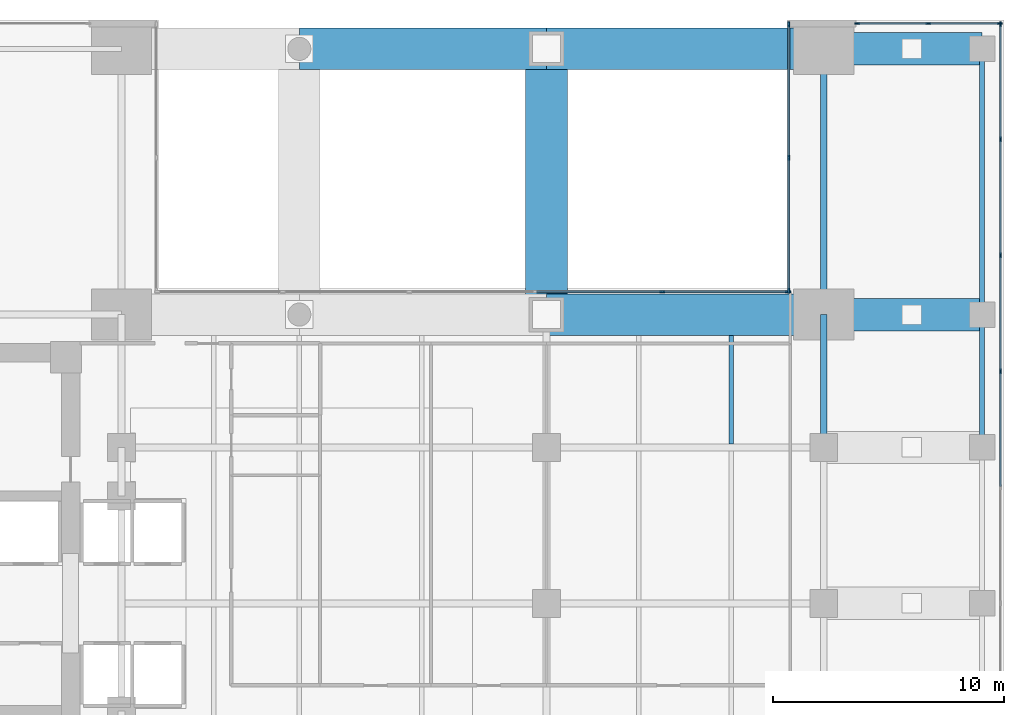
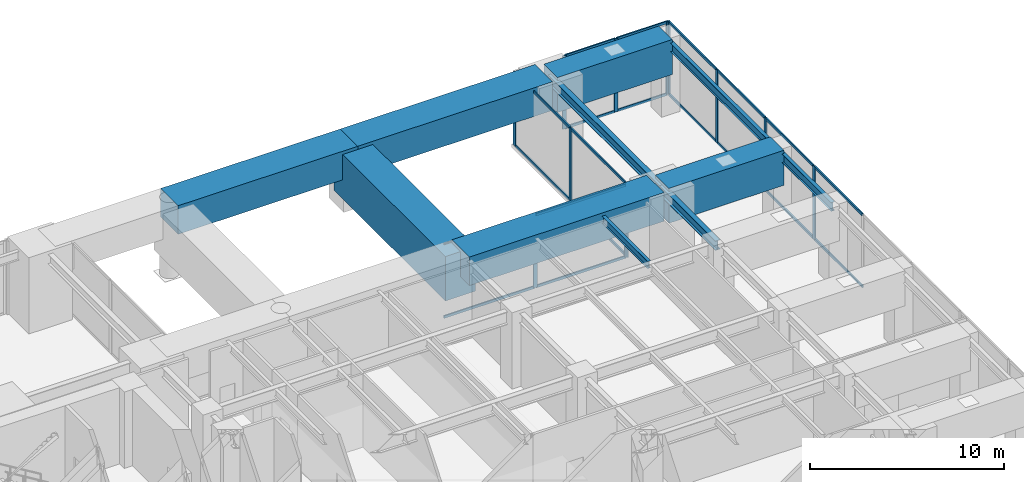
# One storey, part 6 of 13: 32 members, 11 beams, 4 elements without a shape of their own.
"""IFC4 building model written with IfcOpenShell, lengths in metres."""

from ifc_helpers import new_model, si_unit, direction, frame, origin, origin_2d, place, context, subcontext, project, spatial, rectangle, i_section, extrude, material, layer, layer_set, material_profile, profile_set, type_object, element, aggregate, save


model = new_model("IFC4")

# Units and contexts
model_context = context("Model", 3, precision=1e-05, world=origin(), true_north=direction((0.0, 1.0)))
body_context = subcontext(model_context, "Body", "Model", "MODEL_VIEW")
ifc_project = project(units=[si_unit("LENGTHUNIT", "METRE"), si_unit("AREAUNIT", "SQUARE_METRE"), si_unit("VOLUMEUNIT", "CUBIC_METRE"), si_unit("PLANEANGLEUNIT", "RADIAN"), si_unit("MASSUNIT", "GRAM", prefix="KILO")], contexts=[model_context])

# Site, building, storey
site_placement = place(None, origin())
site = spatial("IfcSite", under=ifc_project, at=site_placement, CompositionType="ELEMENT")
building_placement = place(site_placement, origin())
building = spatial("IfcBuilding", under=site, at=building_placement, Name="Kinhvarn Gate Tower", CompositionType="ELEMENT")
storey_placement = place(building_placement, frame((0.0, 0.0, 15.60009765625)))
storey = spatial("IfcBuildingStorey", under=building, at=storey_placement, Name="L03", CompositionType="ELEMENT", Elevation=15.60009765625)

# Beams
ifc_material_1 = material(Name="Concrete C70/85", Category="concrete")
ifc_material_profile_1 = material_profile(ifc_material_1, rectangle(XDim=1.800048828125, YDim=1.800048828125, at=origin_2d()), Name="RC 1800x1800")
ifc_profile_set_1 = profile_set([ifc_material_profile_1], Name="Concrete C70/85")
beam_type_1 = type_object("IfcBeamType", Name="BM-TG-1800SQ", PredefinedType="BEAM", material=ifc_profile_set_1)
beam_1_placement = place(storey_placement, frame((38.199951171875, 37.75, 3.89990234375), z_axis=(1.0, 0.0, 0.0), x_axis=(0.0, 1.0, 0.0)))
element("IfcBeam", 1, at=beam_1_placement, inside=storey, type_object=beam_type_1, Name="Arch Box Transfer Girder TG-01B-3-3", PredefinedType="BEAM", context=body_context, shape_type="SweptSolid", body=[
    extrude(rectangle(XDim=1.800048828125, YDim=1.800048828125, at=origin_2d()), origin(), (0.0, 0.0, 1.0), 11.60009765625),
])
beam_2_placement = place(storey_placement, frame((27.5, 49.25, 3.89990234375), z_axis=(1.0, 0.0, 0.0), x_axis=(0.0, 1.0, 0.0)))
element("IfcBeam", 2, at=beam_2_placement, inside=storey, type_object=beam_type_1, Name="Arch Box Transfer Girder TG-01B-4-2", PredefinedType="BEAM", context=body_context, shape_type="SweptSolid", body=[
    extrude(rectangle(XDim=1.800048828125, YDim=1.800048828125, at=origin_2d()), origin(), (0.0, 0.0, 1.0), 10.699951171875),
])
beam_3_placement = place(storey_placement, frame((38.199951171875, 49.25, 3.89990234375), z_axis=(1.0, 0.0, 0.0), x_axis=(0.0, 1.0, 0.0)))
element("IfcBeam", 3, at=beam_3_placement, inside=storey, type_object=beam_type_1, Name="Arch Box Transfer Girder TG-01B-4-3", PredefinedType="BEAM", context=body_context, shape_type="SweptSolid", body=[
    extrude(rectangle(XDim=1.800048828125, YDim=1.800048828125, at=origin_2d()), origin(), (0.0, 0.0, 1.0), 11.60009765625),
])
ifc_material_2 = material(Name="Concrete C60/75", Category="concrete")
ifc_material_profile_2 = material_profile(ifc_material_2, rectangle(XDim=1.39990234375, YDim=2.199951171875, at=origin_2d()), Name="RC 1400x2200")
ifc_profile_set_2 = profile_set([ifc_material_profile_2], Name="Concrete C60/75")
beam_type_2 = type_object("IfcBeamType", Name="BM-TG-2200", PredefinedType="BEAM", material=ifc_profile_set_2)
for number, where, z_axis, x_axis, name in (
    (4, (50.199951171875, 37.75, 3.699951171875), (1.0, 0.0, 0.0), (0.0, 1.0, 0.0), "Setback Transfer Girder TG-02-L04-PE-6"),
    (5, (50.199951171875, 49.25, 3.699951171875), (1.0, 0.0, 0.0), (0.0, 1.0, 0.0), "Setback Transfer Girder TG-02-L04-PE-7"),
):
    element("IfcBeam", number, at=place(storey_placement, frame(where, z_axis=z_axis, x_axis=x_axis)), inside=storey, type_object=beam_type_2, Name=name, PredefinedType="BEAM", context=body_context, shape_type="SweptSolid", body=[
        extrude(rectangle(XDim=1.39990234375, YDim=2.199951171875, at=origin_2d()), origin(), (0.0, 0.0, 1.0), 6.85009765625),
    ])
ifc_material_profile_3 = material_profile(ifc_material_1, rectangle(XDim=1.800048828125, YDim=2.800048828125, at=origin_2d()), Name="RC 1800x2800")
ifc_profile_set_3 = profile_set([ifc_material_profile_3], Name="Concrete C70/85")
beam_type_3 = type_object("IfcBeamType", Name="BM-TG-2800", PredefinedType="BEAM", material=ifc_profile_set_3)
beam_4_placement = place(storey_placement, frame((38.199951171875, 37.75, 3.199951171875), z_axis=(0.0, 1.0, 0.0), x_axis=(-1.0, 0.0, 0.0)))
element("IfcBeam", 6, at=beam_4_placement, inside=storey, type_object=beam_type_3, Name="Primary Transverse Arch Transfer Girder TG-01-X38-2", PredefinedType="BEAM", context=body_context, shape_type="SweptSolid", body=[
    extrude(rectangle(XDim=1.800048828125, YDim=2.800048828125, at=origin_2d()), origin(), (0.0, 0.0, 1.0), 11.5),
])

# Curtain wall, members
ifc_material_3 = material(Name="Anodised aluminium AW-6063", Category="aluminium")
ifc_layer = layer(ifc_material_3, 0.219970703125)
ifc_layer_set = layer_set([ifc_layer], Name="Anodised aluminium AW-6063")
curtain_wall_type = type_object("IfcCurtainWallType", Name="CW-SYS-1", PredefinedType="NOTDEFINED", material=ifc_layer_set)
curtain_wall_1_placement = place(storey_placement, origin())
curtain_wall_1 = element("IfcCurtainWall", 7, at=curtain_wall_1_placement, inside=storey, type_object=curtain_wall_type, Name="Curtain Wall CW1 (L03)", PredefinedType="NOTDEFINED")
ifc_material_profile_4 = material_profile(ifc_material_3, rectangle(XDim=0.080078125, YDim=0.219970703125, at=origin_2d()), Name="ALU 80x220")
ifc_profile_set_4 = profile_set([ifc_material_profile_4], Name="Anodised aluminium AW-6063")
member_type_1 = type_object("IfcMemberType", Name="CW-MUL-220", PredefinedType="MULLION", material=ifc_profile_set_4)
member_1_placement = place(storey_placement, frame((57.85009765625, 35.2900390625, 0.0), z_axis=(0.0, 0.0, 1.0), x_axis=(-1.0, 0.0, 0.0)))
member_1 = element("IfcMember", 8, at=member_1_placement, type_object=member_type_1, Name="CW1 mullion 8", PredefinedType="MULLION", context=body_context, shape_type="SweptSolid", body=[
    extrude(rectangle(XDim=0.080078125, YDim=0.219970703125, at=origin_2d()), origin(), (0.0, 0.0, 1.0), 4.599853515625),
])
member_2_placement = place(storey_placement, frame((57.85009765625, 40.31005859375, 0.0), z_axis=(0.0, 0.0, 1.0), x_axis=(-1.0, 0.0, 0.0)))
member_2 = element("IfcMember", 9, at=member_2_placement, type_object=member_type_1, Name="CW1 mullion 9", PredefinedType="MULLION", context=body_context, shape_type="SweptSolid", body=[
    extrude(rectangle(XDim=0.080078125, YDim=0.219970703125, at=origin_2d()), origin(), (0.0, 0.0, 1.0), 4.599853515625),
])
member_3_placement = place(storey_placement, frame((57.85009765625, 45.330078125, 0.0), z_axis=(0.0, 0.0, 1.0), x_axis=(-1.0, 0.0, 0.0)))
member_3 = element("IfcMember", 10, at=member_3_placement, type_object=member_type_1, Name="CW1 mullion 10", PredefinedType="MULLION", context=body_context, shape_type="SweptSolid", body=[
    extrude(rectangle(XDim=0.080078125, YDim=0.219970703125, at=origin_2d()), origin(), (0.0, 0.0, 1.0), 4.599853515625),
])
member_4_placement = place(storey_placement, frame((57.85009765625, 50.31005859375, 0.0), z_axis=(0.0, 0.0, 1.0), x_axis=(-1.0, 0.0, 0.0)))
member_4 = element("IfcMember", 11, at=member_4_placement, type_object=member_type_1, Name="CW1 mullion 11", PredefinedType="MULLION", context=body_context, shape_type="SweptSolid", body=[
    extrude(rectangle(XDim=0.080078125, YDim=0.219970703125, at=origin_2d()), origin(), (0.0, 0.0, 1.0), 4.599853515625),
])

curtain_wall_2_placement = place(storey_placement, origin())
curtain_wall_2 = element("IfcCurtainWall", 12, at=curtain_wall_2_placement, inside=storey, type_object=curtain_wall_type, Name="Curtain Wall CW1 (L03)", PredefinedType="NOTDEFINED")
member_5_placement = place(storey_placement, frame((57.81005859375, 50.35009765625, 0.0), z_axis=(0.0, 0.0, 1.0), x_axis=(0.0, -1.0, 0.0)))
member_5 = element("IfcMember", 13, at=member_5_placement, type_object=member_type_1, Name="CW1 mullion 1", PredefinedType="MULLION", context=body_context, shape_type="SweptSolid", body=[
    extrude(rectangle(XDim=0.080078125, YDim=0.219970703125, at=origin_2d()), origin(), (0.0, 0.0, 1.0), 4.599853515625),
])
member_6_placement = place(storey_placement, frame((54.72509765625, 50.35009765625, 0.0), z_axis=(0.0, 0.0, 1.0), x_axis=(0.0, -1.0, 0.0)))
member_6 = element("IfcMember", 14, at=member_6_placement, type_object=member_type_1, Name="CW1 mullion 2", PredefinedType="MULLION", context=body_context, shape_type="SweptSolid", body=[
    extrude(rectangle(XDim=0.080078125, YDim=0.219970703125, at=origin_2d()), origin(), (0.0, 0.0, 1.0), 4.599853515625),
])
member_7_placement = place(storey_placement, frame((51.639892578125, 50.35009765625, 0.0), z_axis=(0.0, 0.0, 1.0), x_axis=(0.0, -1.0, 0.0)))
member_7 = element("IfcMember", 15, at=member_7_placement, type_object=member_type_1, Name="CW1 mullion 3", PredefinedType="MULLION", context=body_context, shape_type="SweptSolid", body=[
    extrude(rectangle(XDim=0.080078125, YDim=0.219970703125, at=origin_2d()), origin(), (0.0, 0.0, 1.0), 4.599853515625),
])

curtain_wall_3_placement = place(storey_placement, origin())
curtain_wall_3 = element("IfcCurtainWall", 16, at=curtain_wall_3_placement, inside=storey, type_object=curtain_wall_type, Name="Curtain Wall CW1 (L03)", PredefinedType="NOTDEFINED")
member_8_placement = place(storey_placement, frame((48.68994140625, 50.31005859375, 0.0), z_axis=(0.0, 0.0, 1.0), x_axis=(1.0, 0.0, 0.0)))
member_8 = element("IfcMember", 17, at=member_8_placement, type_object=member_type_1, Name="CW1 mullion 1", PredefinedType="MULLION", context=body_context, shape_type="SweptSolid", body=[
    extrude(rectangle(XDim=0.080078125, YDim=0.219970703125, at=origin_2d()), origin(), (0.0, 0.0, 1.0), 4.599853515625),
])
member_9_placement = place(storey_placement, frame((48.68994140625, 44.544921875, 0.0), z_axis=(0.0, 0.0, 1.0), x_axis=(1.0, 0.0, 0.0)))
member_9 = element("IfcMember", 18, at=member_9_placement, type_object=member_type_1, Name="CW1 mullion 2", PredefinedType="MULLION", context=body_context, shape_type="SweptSolid", body=[
    extrude(rectangle(XDim=0.080078125, YDim=0.219970703125, at=origin_2d()), origin(), (0.0, 0.0, 1.0), 4.599853515625),
])
member_10_placement = place(storey_placement, frame((48.68994140625, 38.780029296875, 0.0), z_axis=(0.0, 0.0, 1.0), x_axis=(1.0, 0.0, 0.0)))
member_10 = element("IfcMember", 19, at=member_10_placement, type_object=member_type_1, Name="CW1 mullion 3", PredefinedType="MULLION", context=body_context, shape_type="SweptSolid", body=[
    extrude(rectangle(XDim=0.080078125, YDim=0.219970703125, at=origin_2d()), origin(), (0.0, 0.0, 1.0), 4.599853515625),
])

curtain_wall_4_placement = place(storey_placement, origin())
curtain_wall_4 = element("IfcCurtainWall", 20, at=curtain_wall_4_placement, inside=storey, type_object=curtain_wall_type, Name="Curtain Wall CW1 (L03)", PredefinedType="NOTDEFINED")
member_11_placement = place(storey_placement, frame((48.64990234375, 38.739990234375, 0.0), z_axis=(0.0, 0.0, 1.0), x_axis=(0.0, -1.0, 0.0)))
member_11 = element("IfcMember", 21, at=member_11_placement, type_object=member_type_1, Name="CW1 mullion 1", PredefinedType="MULLION", context=body_context, shape_type="SweptSolid", body=[
    extrude(rectangle(XDim=0.080078125, YDim=0.219970703125, at=origin_2d()), origin(), (0.0, 0.0, 1.0), 4.599853515625),
])
member_12_placement = place(storey_placement, frame((43.214111328125, 38.739990234375, 0.0), z_axis=(0.0, 0.0, 1.0), x_axis=(0.0, -1.0, 0.0)))
member_12 = element("IfcMember", 22, at=member_12_placement, type_object=member_type_1, Name="CW1 mullion 2", PredefinedType="MULLION", context=body_context, shape_type="SweptSolid", body=[
    extrude(rectangle(XDim=0.080078125, YDim=0.219970703125, at=origin_2d()), origin(), (0.0, 0.0, 1.0), 4.599853515625),
])

# Member
ifc_material_profile_5 = material_profile(ifc_material_3, rectangle(XDim=0.080078125, YDim=0.159912109375, at=origin_2d()), Name="ALU 80x160")
ifc_profile_set_5 = profile_set([ifc_material_profile_5], Name="Anodised aluminium AW-6063")
member_type_2 = type_object("IfcMemberType", Name="CW-TRN-160", PredefinedType="USERDEFINED", material=ifc_profile_set_5)
member_13_placement = place(storey_placement, frame((57.85009765625, 30.31005859375, 0.039794921875), z_axis=(0.0, 1.0, 0.0), x_axis=(-1.0, 0.0, 0.0)))
member_13 = element("IfcMember", 23, at=member_13_placement, type_object=member_type_2, Name="CW1 transom 7.1", ObjectType="TRANSOM", PredefinedType="USERDEFINED", context=body_context, shape_type="SweptSolid", body=[
    extrude(rectangle(XDim=0.080078125, YDim=0.159912109375, at=origin_2d()), origin(), (0.0, 0.0, 1.0), 4.93994140625),
])

member_14_placement = place(storey_placement, frame((57.85009765625, 30.31005859375, 4.559814453125), z_axis=(0.0, 1.0, 0.0), x_axis=(-1.0, 0.0, 0.0)))
member_14 = element("IfcMember", 24, at=member_14_placement, type_object=member_type_2, Name="CW1 transom 7.2", ObjectType="TRANSOM", PredefinedType="USERDEFINED", context=body_context, shape_type="SweptSolid", body=[
    extrude(rectangle(XDim=0.080078125, YDim=0.159912109375, at=origin_2d()), origin(), (0.0, 0.0, 1.0), 4.93994140625),
])

member_15_placement = place(storey_placement, frame((57.85009765625, 35.330078125, 0.039794921875), z_axis=(0.0, 1.0, 0.0), x_axis=(-1.0, 0.0, 0.0)))
member_15 = element("IfcMember", 25, at=member_15_placement, type_object=member_type_2, Name="CW1 transom 8.1", ObjectType="TRANSOM", PredefinedType="USERDEFINED", context=body_context, shape_type="SweptSolid", body=[
    extrude(rectangle(XDim=0.080078125, YDim=0.159912109375, at=origin_2d()), origin(), (0.0, 0.0, 1.0), 4.93994140625),
])

member_16_placement = place(storey_placement, frame((57.85009765625, 35.330078125, 4.559814453125), z_axis=(0.0, 1.0, 0.0), x_axis=(-1.0, 0.0, 0.0)))
member_16 = element("IfcMember", 26, at=member_16_placement, type_object=member_type_2, Name="CW1 transom 8.2", ObjectType="TRANSOM", PredefinedType="USERDEFINED", context=body_context, shape_type="SweptSolid", body=[
    extrude(rectangle(XDim=0.080078125, YDim=0.159912109375, at=origin_2d()), origin(), (0.0, 0.0, 1.0), 4.93994140625),
])

member_17_placement = place(storey_placement, frame((57.85009765625, 40.35009765625, 0.039794921875), z_axis=(0.0, 1.0, 0.0), x_axis=(-1.0, 0.0, 0.0)))
member_17 = element("IfcMember", 27, at=member_17_placement, type_object=member_type_2, Name="CW1 transom 9.1", ObjectType="TRANSOM", PredefinedType="USERDEFINED", context=body_context, shape_type="SweptSolid", body=[
    extrude(rectangle(XDim=0.080078125, YDim=0.159912109375, at=origin_2d()), origin(), (0.0, 0.0, 1.0), 4.93994140625),
])

member_18_placement = place(storey_placement, frame((57.85009765625, 40.35009765625, 4.559814453125), z_axis=(0.0, 1.0, 0.0), x_axis=(-1.0, 0.0, 0.0)))
member_18 = element("IfcMember", 28, at=member_18_placement, type_object=member_type_2, Name="CW1 transom 9.2", ObjectType="TRANSOM", PredefinedType="USERDEFINED", context=body_context, shape_type="SweptSolid", body=[
    extrude(rectangle(XDim=0.080078125, YDim=0.159912109375, at=origin_2d()), origin(), (0.0, 0.0, 1.0), 4.93994140625),
])

member_19_placement = place(storey_placement, frame((57.85009765625, 45.3701171875, 0.039794921875), z_axis=(0.0, 1.0, 0.0), x_axis=(-1.0, 0.0, 0.0)))
member_19 = element("IfcMember", 29, at=member_19_placement, type_object=member_type_2, Name="CW1 transom 10.1", ObjectType="TRANSOM", PredefinedType="USERDEFINED", context=body_context, shape_type="SweptSolid", body=[
    extrude(rectangle(XDim=0.080078125, YDim=0.159912109375, at=origin_2d()), origin(), (0.0, 0.0, 1.0), 4.89990234375),
])

member_20_placement = place(storey_placement, frame((57.85009765625, 45.3701171875, 4.559814453125), z_axis=(0.0, 1.0, 0.0), x_axis=(-1.0, 0.0, 0.0)))
member_20 = element("IfcMember", 30, at=member_20_placement, type_object=member_type_2, Name="CW1 transom 10.2", ObjectType="TRANSOM", PredefinedType="USERDEFINED", context=body_context, shape_type="SweptSolid", body=[
    extrude(rectangle(XDim=0.080078125, YDim=0.159912109375, at=origin_2d()), origin(), (0.0, 0.0, 1.0), 4.89990234375),
])

aggregate(curtain_wall_1, [member_1, member_2, member_3, member_4, member_13, member_14, member_15, member_16, member_17, member_18, member_19, member_20])

member_21_placement = place(storey_placement, frame((57.77001953125, 50.35009765625, 0.039794921875), z_axis=(-1.0, 0.0, 0.0), x_axis=(0.0, -1.0, 0.0)))
member_21 = element("IfcMember", 31, at=member_21_placement, type_object=member_type_2, Name="CW1 transom 1.1", ObjectType="TRANSOM", PredefinedType="USERDEFINED", context=body_context, shape_type="SweptSolid", body=[
    extrude(rectangle(XDim=0.080078125, YDim=0.159912109375, at=origin_2d()), origin(), (0.0, 0.0, 1.0), 3.005126953125),
])

member_22_placement = place(storey_placement, frame((57.77001953125, 50.35009765625, 4.559814453125), z_axis=(-1.0, 0.0, 0.0), x_axis=(0.0, -1.0, 0.0)))
member_22 = element("IfcMember", 32, at=member_22_placement, type_object=member_type_2, Name="CW1 transom 1.2", ObjectType="TRANSOM", PredefinedType="USERDEFINED", context=body_context, shape_type="SweptSolid", body=[
    extrude(rectangle(XDim=0.080078125, YDim=0.159912109375, at=origin_2d()), origin(), (0.0, 0.0, 1.0), 3.005126953125),
])

member_23_placement = place(storey_placement, frame((54.68505859375, 50.35009765625, 0.039794921875), z_axis=(-1.0, 0.0, 0.0), x_axis=(0.0, -1.0, 0.0)))
member_23 = element("IfcMember", 33, at=member_23_placement, type_object=member_type_2, Name="CW1 transom 2.1", ObjectType="TRANSOM", PredefinedType="USERDEFINED", context=body_context, shape_type="SweptSolid", body=[
    extrude(rectangle(XDim=0.080078125, YDim=0.159912109375, at=origin_2d()), origin(), (0.0, 0.0, 1.0), 3.005126953125),
])

member_24_placement = place(storey_placement, frame((54.68505859375, 50.35009765625, 4.559814453125), z_axis=(-1.0, 0.0, 0.0), x_axis=(0.0, -1.0, 0.0)))
member_24 = element("IfcMember", 34, at=member_24_placement, type_object=member_type_2, Name="CW1 transom 2.2", ObjectType="TRANSOM", PredefinedType="USERDEFINED", context=body_context, shape_type="SweptSolid", body=[
    extrude(rectangle(XDim=0.080078125, YDim=0.159912109375, at=origin_2d()), origin(), (0.0, 0.0, 1.0), 3.005126953125),
])

aggregate(curtain_wall_2, [member_5, member_6, member_7, member_21, member_22, member_23, member_24])

member_25_placement = place(storey_placement, frame((48.68994140625, 50.27001953125, 0.039794921875), z_axis=(0.0, -1.0, 0.0), x_axis=(1.0, 0.0, 0.0)))
member_25 = element("IfcMember", 35, at=member_25_placement, type_object=member_type_2, Name="CW1 transom 1.1", ObjectType="TRANSOM", PredefinedType="USERDEFINED", context=body_context, shape_type="SweptSolid", body=[
    extrude(rectangle(XDim=0.080078125, YDim=0.159912109375, at=origin_2d()), origin(), (0.0, 0.0, 1.0), 5.68505859375),
])

member_26_placement = place(storey_placement, frame((48.68994140625, 50.27001953125, 4.559814453125), z_axis=(0.0, -1.0, 0.0), x_axis=(1.0, 0.0, 0.0)))
member_26 = element("IfcMember", 36, at=member_26_placement, type_object=member_type_2, Name="CW1 transom 1.2", ObjectType="TRANSOM", PredefinedType="USERDEFINED", context=body_context, shape_type="SweptSolid", body=[
    extrude(rectangle(XDim=0.080078125, YDim=0.159912109375, at=origin_2d()), origin(), (0.0, 0.0, 1.0), 5.68505859375),
])

member_27_placement = place(storey_placement, frame((48.68994140625, 44.5048828125, 0.039794921875), z_axis=(0.0, -1.0, 0.0), x_axis=(1.0, 0.0, 0.0)))
member_27 = element("IfcMember", 37, at=member_27_placement, type_object=member_type_2, Name="CW1 transom 2.1", ObjectType="TRANSOM", PredefinedType="USERDEFINED", context=body_context, shape_type="SweptSolid", body=[
    extrude(rectangle(XDim=0.080078125, YDim=0.159912109375, at=origin_2d()), origin(), (0.0, 0.0, 1.0), 5.684814453125),
])

member_28_placement = place(storey_placement, frame((48.68994140625, 44.5048828125, 4.559814453125), z_axis=(0.0, -1.0, 0.0), x_axis=(1.0, 0.0, 0.0)))
member_28 = element("IfcMember", 38, at=member_28_placement, type_object=member_type_2, Name="CW1 transom 2.2", ObjectType="TRANSOM", PredefinedType="USERDEFINED", context=body_context, shape_type="SweptSolid", body=[
    extrude(rectangle(XDim=0.080078125, YDim=0.159912109375, at=origin_2d()), origin(), (0.0, 0.0, 1.0), 5.684814453125),
])

aggregate(curtain_wall_3, [member_8, member_9, member_10, member_25, member_26, member_27, member_28])

member_29_placement = place(storey_placement, frame((48.610107421875, 38.739990234375, 0.039794921875), z_axis=(-1.0, 0.0, 0.0), x_axis=(0.0, -1.0, 0.0)))
member_29 = element("IfcMember", 39, at=member_29_placement, type_object=member_type_2, Name="CW1 transom 1.1", ObjectType="TRANSOM", PredefinedType="USERDEFINED", context=body_context, shape_type="SweptSolid", body=[
    extrude(rectangle(XDim=0.080078125, YDim=0.159912109375, at=origin_2d()), origin(), (0.0, 0.0, 1.0), 5.356201171875),
])

member_30_placement = place(storey_placement, frame((48.610107421875, 38.739990234375, 4.559814453125), z_axis=(-1.0, 0.0, 0.0), x_axis=(0.0, -1.0, 0.0)))
member_30 = element("IfcMember", 40, at=member_30_placement, type_object=member_type_2, Name="CW1 transom 1.2", ObjectType="TRANSOM", PredefinedType="USERDEFINED", context=body_context, shape_type="SweptSolid", body=[
    extrude(rectangle(XDim=0.080078125, YDim=0.159912109375, at=origin_2d()), origin(), (0.0, 0.0, 1.0), 5.356201171875),
])

member_31_placement = place(storey_placement, frame((43.174072265625, 38.739990234375, 0.039794921875), z_axis=(-1.0, 0.0, 0.0), x_axis=(0.0, -1.0, 0.0)))
member_31 = element("IfcMember", 41, at=member_31_placement, type_object=member_type_2, Name="CW1 transom 2.1", ObjectType="TRANSOM", PredefinedType="USERDEFINED", context=body_context, shape_type="SweptSolid", body=[
    extrude(rectangle(XDim=0.080078125, YDim=0.159912109375, at=origin_2d()), origin(), (0.0, 0.0, 1.0), 5.39599609375),
])

member_32_placement = place(storey_placement, frame((43.174072265625, 38.739990234375, 4.559814453125), z_axis=(-1.0, 0.0, 0.0), x_axis=(0.0, -1.0, 0.0)))
member_32 = element("IfcMember", 42, at=member_32_placement, type_object=member_type_2, Name="CW1 transom 2.2", ObjectType="TRANSOM", PredefinedType="USERDEFINED", context=body_context, shape_type="SweptSolid", body=[
    extrude(rectangle(XDim=0.080078125, YDim=0.159912109375, at=origin_2d()), origin(), (0.0, 0.0, 1.0), 5.39599609375),
])

aggregate(curtain_wall_4, [member_11, member_12, member_29, member_30, member_31, member_32])

# Beams
ifc_material_4 = material(Name="Steel S355", Category="steel")
ifc_material_profile_6 = material_profile(ifc_material_4, i_section(OverallWidth=0.300048828125, OverallDepth=0.60009765625, WebThickness=0.015380859375, FlangeThickness=0.030029296875, at=origin_2d()), Name="HEB 600")
ifc_profile_set_6 = profile_set([ifc_material_profile_6], Name="Steel S355")
beam_type_4 = type_object("IfcBeamType", Name="STL-HEB600", PredefinedType="BEAM", material=ifc_profile_set_6)
beam_5_placement = place(storey_placement, frame((50.199951171875, 32.0, 4.2998046875), z_axis=(0.0, 1.0, 0.0), x_axis=(-1.0, 0.0, 0.0)))
element("IfcBeam", 43, at=beam_5_placement, inside=storey, type_object=beam_type_4, Name="Floor Beam PG-16 (L03 APE-5)", PredefinedType="BEAM", context=body_context, shape_type="SweptSolid", body=[
    extrude(i_section(OverallWidth=0.300048828125, OverallDepth=0.60009765625, WebThickness=0.015380859375, FlangeThickness=0.030029296875, at=origin_2d()), origin(), (0.0, 0.0, 1.0), 5.75),
])
beam_6_placement = place(storey_placement, frame((50.199951171875, 37.75, 4.2998046875), z_axis=(0.0, 1.0, 0.0), x_axis=(-1.0, 0.0, 0.0)))
element("IfcBeam", 44, at=beam_6_placement, inside=storey, type_object=beam_type_4, Name="Floor Beam PG-16 (L03 APE-6)", PredefinedType="BEAM", context=body_context, shape_type="SweptSolid", body=[
    extrude(i_section(OverallWidth=0.300048828125, OverallDepth=0.60009765625, WebThickness=0.015380859375, FlangeThickness=0.030029296875, at=origin_2d()), origin(), (0.0, 0.0, 1.0), 11.5),
])
ifc_material_profile_7 = material_profile(ifc_material_4, i_section(OverallWidth=0.18994140625, OverallDepth=0.449951171875, WebThickness=0.009521484375, FlangeThickness=0.0146484375, at=origin_2d()), Name="IPE 450")
ifc_profile_set_7 = profile_set([ifc_material_profile_7], Name="Steel S355")
beam_type_5 = type_object("IfcBeamType", Name="STL-IPE450", PredefinedType="JOIST", material=ifc_profile_set_7)
beam_7_placement = place(storey_placement, frame((46.199951171875, 32.14990234375, 4.375), z_axis=(0.0, 1.0, 0.0), x_axis=(-1.0, 0.0, 0.0)))
element("IfcBeam", 45, at=beam_7_placement, inside=storey, type_object=beam_type_5, Name="Floor Joist SB-06 (L03 POD-J462-32)", PredefinedType="JOIST", context=body_context, shape_type="SweptSolid", body=[
    extrude(i_section(OverallWidth=0.18994140625, OverallDepth=0.449951171875, WebThickness=0.009521484375, FlangeThickness=0.0146484375, at=origin_2d()), origin(), (0.0, 0.0, 1.0), 4.7001953125),
])
ifc_material_profile_8 = material_profile(ifc_material_4, i_section(OverallWidth=0.2099609375, OverallDepth=0.550048828125, WebThickness=0.010986328125, FlangeThickness=0.01708984375, at=origin_2d()), Name="IPE 550")
ifc_profile_set_8 = profile_set([ifc_material_profile_8], Name="Steel S355")
beam_type_6 = type_object("IfcBeamType", Name="STL-IPE550", PredefinedType="SPANDREL", material=ifc_profile_set_8)
beam_8_placement = place(storey_placement, frame((57.050048828125, 32.0, 4.324951171875), z_axis=(0.0, 1.0, 0.0), x_axis=(-1.0, 0.0, 0.0)))
element("IfcBeam", 46, at=beam_8_placement, inside=storey, type_object=beam_type_6, Name="Floor Spandrel SB-08 (L03 PERE-5)", PredefinedType="SPANDREL", context=body_context, shape_type="SweptSolid", body=[
    extrude(i_section(OverallWidth=0.2099609375, OverallDepth=0.550048828125, WebThickness=0.010986328125, FlangeThickness=0.01708984375, at=origin_2d()), origin(), (0.0, 0.0, 1.0), 5.75),
])
beam_9_placement = place(storey_placement, frame((57.050048828125, 37.75, 4.324951171875), z_axis=(0.0, 1.0, 0.0), x_axis=(-1.0, 0.0, 0.0)))
element("IfcBeam", 47, at=beam_9_placement, inside=storey, type_object=beam_type_6, Name="Floor Spandrel SB-08 (L03 PERE-6)", PredefinedType="SPANDREL", context=body_context, shape_type="SweptSolid", body=[
    extrude(i_section(OverallWidth=0.2099609375, OverallDepth=0.550048828125, WebThickness=0.010986328125, FlangeThickness=0.01708984375, at=origin_2d()), origin(), (0.0, 0.0, 1.0), 11.5),
])

save(model, "model.ifc")
